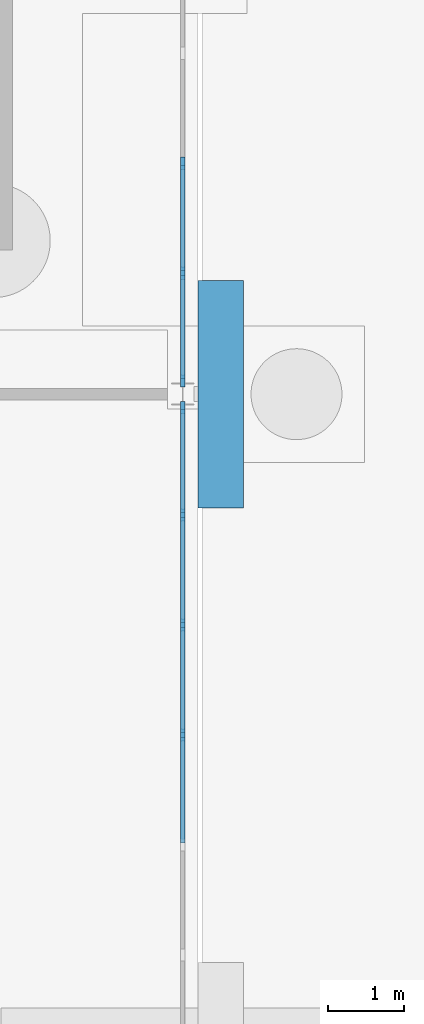
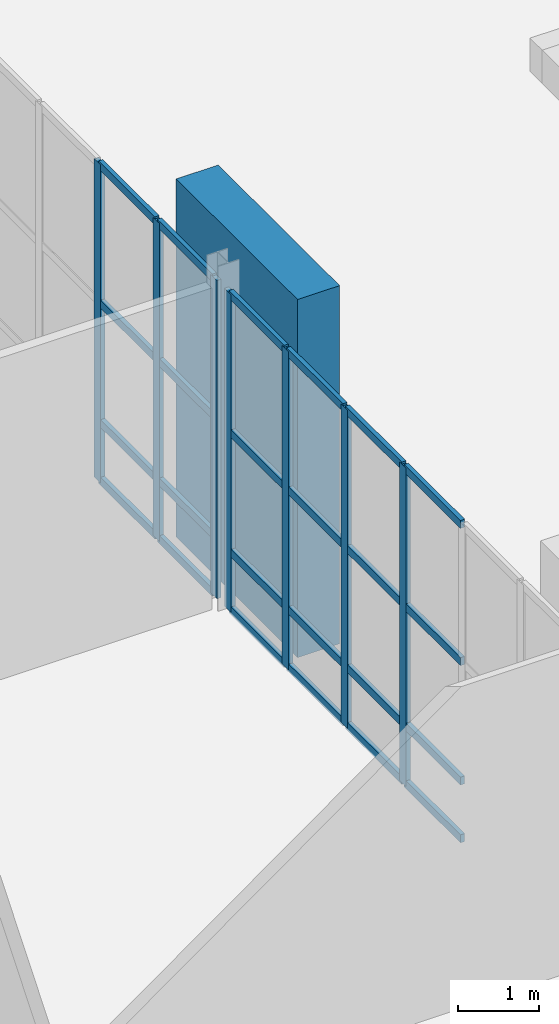
# One storey, part 61 of 168: 32 members, 2 elements without a shape of their own.
"""IFC4 building model written with IfcOpenShell, lengths in metres."""

import ifcopenshell
import ifcopenshell.guid

model = None  # the IFC model being written
_history = None  # IfcOwnerHistory: only IFC2X3 demands one
_inside = {}  # id of a spatial element -> (the spatial element, [elements in it])
_under = {}  # id of a project, library or spatial element -> (it, [spatial elements below it])
_declared = {}  # id of a project -> (the project, [libraries it declares])
_typed = {}  # id of a type object -> (the type object, [elements of that type])
_made_of = {}  # id of a material, layer set ... -> (it, [elements and type objects made of it])


def new_model(schema):
    """Start an empty IFC model of exactly this schema.

    Asked for "IFC4X3", IfcOpenShell would pick the latest addendum, in which some entities
    have other attributes; the version numbers below select the first issue.
    IFC2X3 requires an IfcOwnerHistory on every rooted entity: one is made here for all.
    """
    global model, _history
    if schema == "IFC4X3":
        model = ifcopenshell.file(schema_version=(4, 3, 0, 0))
    else:
        model = ifcopenshell.file(schema=schema)
    _inside.clear()
    _under.clear()
    _declared.clear()
    _typed.clear()
    _made_of.clear()
    _history = None
    if model.schema == "IFC2X3":
        org = make("IfcOrganization", Name="unknown")
        user = make(
            "IfcPersonAndOrganization",
            ThePerson=make("IfcPerson", FamilyName="unknown"),
            TheOrganization=org,
        )
        app = make(
            "IfcApplication",
            ApplicationDeveloper=org,
            Version="unknown",
            ApplicationFullName="unknown",
            ApplicationIdentifier="unknown",
        )
        _history = make(
            "IfcOwnerHistory",
            OwningUser=user,
            OwningApplication=app,
            ChangeAction="ADDED",
            CreationDate=0,
        )
    return model


def make(cls, **values):
    """One entity of the class cls with the attributes given. An attribute that is None is left unset."""
    return model.create_entity(
        cls, **{name: value for name, value in values.items() if value is not None}
    )


def rooted(cls, **values):
    """An entity with a GlobalId (a new one), such as an element, a storey or a relation."""
    return make(cls, GlobalId=ifcopenshell.guid.new(), OwnerHistory=_history, **values)


def si_unit(unit_type, name, prefix=None):
    """IfcSIUnit, for example si_unit("LENGTHUNIT", "METRE", prefix="MILLI")."""
    return make("IfcSIUnit", UnitType=unit_type, Prefix=prefix, Name=name)


def assignment(units):
    """IfcUnitAssignment: the units of a project."""
    return None if units is None else make("IfcUnitAssignment", Units=units)


def point(xyz):
    """IfcCartesianPoint."""
    return None if xyz is None else make("IfcCartesianPoint", Coordinates=xyz)


def direction(xyz):
    """IfcDirection."""
    return None if xyz is None else make("IfcDirection", DirectionRatios=xyz)


def frame(location, z_axis=None, x_axis=None):
    """IfcAxis2Placement3D, a coordinate frame: its origin and axes. An axis left out is left unset."""
    return make(
        "IfcAxis2Placement3D",
        Location=point(location),
        Axis=direction(z_axis),
        RefDirection=direction(x_axis),
    )


def frame_2d(location, x_axis=None):
    """IfcAxis2Placement2D, a coordinate frame in the plane: its origin and x axis."""
    return make(
        "IfcAxis2Placement2D", Location=point(location), RefDirection=direction(x_axis)
    )


def origin():
    """The frame at (0, 0, 0) with its axes left unset."""
    return frame((0.0, 0.0, 0.0))


def origin_2d():
    """The frame at (0, 0) in the plane with its x axis left unset."""
    return frame_2d((0.0, 0.0))


def place(relative_to, where):
    """IfcLocalPlacement: puts the frame where relative to a parent placement (None: the world)."""
    return make(
        "IfcLocalPlacement", PlacementRelTo=relative_to, RelativePlacement=where
    )


def context(
    kind, dimensions, precision=None, world=None, true_north=None, identifier=None
):
    """IfcGeometricRepresentationContext, for example the 3D "Model" context."""
    return make(
        "IfcGeometricRepresentationContext",
        ContextIdentifier=identifier,
        ContextType=kind,
        CoordinateSpaceDimension=dimensions,
        Precision=precision,
        WorldCoordinateSystem=world,
        TrueNorth=true_north,
    )


def subcontext(parent, identifier, kind, view, scale=None):
    """IfcGeometricRepresentationSubContext, for example "Body" below "Model"."""
    return make(
        "IfcGeometricRepresentationSubContext",
        ContextIdentifier=identifier,
        ContextType=kind,
        ParentContext=parent,
        TargetScale=scale,
        TargetView=view,
    )


def project(units=None, contexts=None):
    """IfcProject with its units and contexts."""
    return rooted(
        "IfcProject",
        Name="project",
        RepresentationContexts=contexts,
        UnitsInContext=assignment(units),
    )


def spatial(cls, under=None, at=None, **own):
    """A site, building, storey or space (cls), placed at a placement, below another one or the project."""
    s = rooted(cls, ObjectPlacement=at, **own)
    if under is not None:
        _under.setdefault(under.id(), (under, []))[1].append(s)
    return s


def profile(cls, at=None, kind="AREA", **sizes):
    """A parametric profile (cls). Its sizes go by their IFC names, for example OverallWidth=200.0."""
    return make(cls, ProfileType=kind, Position=at, **sizes)


def rectangle(**sizes):
    """IfcRectangleProfileDef."""
    return profile("IfcRectangleProfileDef", **sizes)


def extrude(swept, where, along, depth):
    """IfcExtrudedAreaSolid: the profile swept, set in the frame where, extruded along a direction by depth."""
    return make(
        "IfcExtrudedAreaSolid",
        SweptArea=swept,
        Position=where,
        ExtrudedDirection=direction(along),
        Depth=depth,
    )


def shape(context_of_items, identifier, shape_type, items):
    """IfcShapeRepresentation: the items that make up one representation, for example the "Body"."""
    return make(
        "IfcShapeRepresentation",
        ContextOfItems=context_of_items,
        RepresentationIdentifier=identifier,
        RepresentationType=shape_type,
        Items=items,
    )


def material(Name=None, Category=None):
    """IfcMaterial."""
    return make("IfcMaterial", Name=Name, Category=Category)


def layer(
    of_material, thickness, ventilated=None, Name=None, Category=None, Priority=None
):
    """IfcMaterialLayer: one layer of a wall or slab, of a material (None: an air gap)."""
    return make(
        "IfcMaterialLayer",
        Material=of_material,
        LayerThickness=thickness,
        IsVentilated=ventilated,
        Name=Name,
        Category=Category,
        Priority=Priority,
    )


def layer_set(layers, Name=None):
    """IfcMaterialLayerSet."""
    return make("IfcMaterialLayerSet", MaterialLayers=layers, LayerSetName=Name)


def material_profile(
    of_material, cross_section, Name=None, Category=None, Priority=None
):
    """IfcMaterialProfile: a cross section and its material."""
    return make(
        "IfcMaterialProfile",
        Name=Name,
        Material=of_material,
        Profile=cross_section,
        Priority=Priority,
        Category=Category,
    )


def profile_set(profiles, Name=None, composite=None):
    """IfcMaterialProfileSet."""
    return make(
        "IfcMaterialProfileSet",
        Name=Name,
        MaterialProfiles=profiles,
        CompositeProfile=composite,
    )


def made_of(thing, what):
    """Note that an element or type object is made of a material, layer set ...; save() writes the relation."""
    if what is not None:
        _made_of.setdefault(what.id(), (what, []))[1].append(thing)
    return thing


def type_object(cls, material=None, **own):
    """A type object (cls), such as IfcWallType, which elements share."""
    return made_of(rooted(cls, **own), material)


def element(
    cls,
    number,
    at=None,
    inside=None,
    cuts=None,
    type_object=None,
    material=None,
    context=None,
    identifier="Body",
    shape_type=None,
    held_by="IfcProductDefinitionShape",
    body=None,
    shapes=None,
    **own,
):
    """One element of the class cls, such as IfcWall. Its Tag is "e" and its number.

    at: its placement. inside: the storey or other place that contains it. cuts: it is an
    opening in that element (IfcRelVoidsElement). A single representation is given by context,
    identifier, shape_type and body (its items); several are given by shapes. held_by: the class
    of the entity that holds the representations. save() writes the other relations.
    """
    e = rooted(cls, Tag="e%d" % number, ObjectPlacement=at, **own)
    if body is not None:
        shapes = [shape(context, identifier, shape_type, body)]
    if shapes is not None:
        e.Representation = make(held_by, Representations=shapes)
    if inside is not None:
        _inside.setdefault(inside.id(), (inside, []))[1].append(e)
    if cuts is not None:
        rooted(
            "IfcRelVoidsElement", RelatingBuildingElement=cuts, RelatedOpeningElement=e
        )
    if type_object is not None:
        _typed.setdefault(type_object.id(), (type_object, []))[1].append(e)
    return made_of(e, material)


def aggregate(whole, parts):
    """IfcRelAggregates: a whole, such as a stair, and the parts it consists of."""
    return rooted("IfcRelAggregates", RelatingObject=whole, RelatedObjects=parts)


def save(model, path):
    """Write the relations noted so far, then the file.

    IfcRelAggregates (storeys below a building ...), IfcRelContainedInSpatialStructure (elements
    in a storey), IfcRelDefinesByType, IfcRelAssociatesMaterial and IfcRelDeclares: one each for
    every whole, place, type object, material and project.
    """
    for whole, parts in _under.values():
        aggregate(whole, parts)
    for where, things in _inside.values():
        rooted(
            "IfcRelContainedInSpatialStructure",
            RelatedElements=things,
            RelatingStructure=where,
        )
    for kind, things in _typed.values():
        rooted("IfcRelDefinesByType", RelatedObjects=things, RelatingType=kind)
    for what, things in _made_of.values():
        rooted("IfcRelAssociatesMaterial", RelatedObjects=things, RelatingMaterial=what)
    for by, libraries in _declared.values():
        rooted("IfcRelDeclares", RelatingContext=by, RelatedDefinitions=libraries)
    model.write(path)


model = new_model("IFC4")

# Units and contexts
model_context = context("Model", 3, precision=1e-05, world=origin(), true_north=direction((0.0, 1.0)))
body_context = subcontext(model_context, "Body", "Model", "MODEL_VIEW")
ifc_project = project(units=[si_unit("LENGTHUNIT", "METRE"), si_unit("AREAUNIT", "SQUARE_METRE"), si_unit("VOLUMEUNIT", "CUBIC_METRE"), si_unit("PLANEANGLEUNIT", "RADIAN"), si_unit("MASSUNIT", "GRAM", prefix="KILO")], contexts=[model_context])

# Site, building, storey
site_placement = place(None, origin())
site = spatial("IfcSite", under=ifc_project, at=site_placement, CompositionType="ELEMENT")
building_placement = place(site_placement, origin())
building = spatial("IfcBuilding", under=site, at=building_placement, Name="Golden Quay Civic Hall", CompositionType="ELEMENT")
storey_placement = place(building_placement, origin())
storey = spatial("IfcBuildingStorey", under=building, at=storey_placement, Name="L00", CompositionType="ELEMENT", Elevation=0.0)

# Curtain wall, members
ifc_material_1 = material(Name="Glass, laminated double glazed", Category="glass")
ifc_layer = layer(ifc_material_1, 0.199951171875)
ifc_layer_set = layer_set([ifc_layer], Name="Glazed core strip curtain wall")
curtain_wall_type = type_object("IfcCurtainWallType", Name="Glazed core strip curtain wall", PredefinedType="NOTDEFINED", material=ifc_layer_set)
curtain_wall_1_placement = place(storey_placement, origin())
curtain_wall_1 = element("IfcCurtainWall", 1, at=curtain_wall_1_placement, inside=storey, type_object=curtain_wall_type, Name="Glazed core strip curtain wall L00 11", PredefinedType="NOTDEFINED")
ifc_material_2 = material(Name="Aluminium, anodised", Category="aluminium")
ifc_material_profile_1 = material_profile(ifc_material_2, rectangle(XDim=0.06005859375, YDim=0.159912109375, at=origin_2d()), Name="Aluminium 60 x 160")
ifc_profile_set_1 = profile_set([ifc_material_profile_1], Name="Aluminium, anodised")
member_type_1 = type_object("IfcMemberType", Name="Aluminium mullion 60 x 160", PredefinedType="MULLION", material=ifc_profile_set_1)
member_1_placement = place(storey_placement, frame((117.0, 44.824951171875, 0.0), z_axis=(0.0, 0.0, 1.0), x_axis=(1.0, 0.0, 0.0)))
member_1 = element("IfcMember", 2, at=member_1_placement, type_object=member_type_1, Name="CW2 mullion 1", PredefinedType="MULLION", context=body_context, shape_type="SweptSolid", body=[
    extrude(rectangle(XDim=0.06005859375, YDim=0.159912109375, at=origin_2d()), origin(), (0.0, 0.0, 1.0), 4.800048828125),
])
member_2_placement = place(storey_placement, frame((117.0, 43.4033203125, 0.0), z_axis=(0.0, 0.0, 1.0), x_axis=(1.0, 0.0, 0.0)))
member_2 = element("IfcMember", 3, at=member_2_placement, type_object=member_type_1, Name="CW2 mullion 2", PredefinedType="MULLION", context=body_context, shape_type="SweptSolid", body=[
    extrude(rectangle(XDim=0.06005859375, YDim=0.159912109375, at=origin_2d()), origin(), (0.0, 0.0, 1.0), 4.800048828125),
])
member_3_placement = place(storey_placement, frame((117.0, 41.95166015625, 0.0), z_axis=(0.0, 0.0, 1.0), x_axis=(1.0, 0.0, 0.0)))
member_3 = element("IfcMember", 4, at=member_3_placement, type_object=member_type_1, Name="CW2 mullion 3", PredefinedType="MULLION", context=body_context, shape_type="SweptSolid", body=[
    extrude(rectangle(XDim=0.06005859375, YDim=0.159912109375, at=origin_2d()), origin(), (0.0, 0.0, 1.0), 4.800048828125),
])
member_4_placement = place(storey_placement, frame((117.0, 40.5, 0.0), z_axis=(0.0, 0.0, 1.0), x_axis=(1.0, 0.0, 0.0)))
member_4 = element("IfcMember", 5, at=member_4_placement, type_object=member_type_1, Name="CW2 mullion 4", PredefinedType="MULLION", context=body_context, shape_type="SweptSolid", body=[
    extrude(rectangle(XDim=0.06005859375, YDim=0.159912109375, at=origin_2d()), origin(), (0.0, 0.0, 1.0), 4.800048828125),
])

curtain_wall_2_placement = place(storey_placement, origin())
curtain_wall_2 = element("IfcCurtainWall", 6, at=curtain_wall_2_placement, inside=storey, type_object=curtain_wall_type, Name="Glazed core strip curtain wall L00 12", PredefinedType="NOTDEFINED")
member_5_placement = place(storey_placement, frame((117.0, 48.04833984375, 0.0), z_axis=(0.0, 0.0, 1.0), x_axis=(1.0, 0.0, 0.0)))
member_5 = element("IfcMember", 7, at=member_5_placement, type_object=member_type_1, Name="CW2 mullion 5", PredefinedType="MULLION", context=body_context, shape_type="SweptSolid", body=[
    extrude(rectangle(XDim=0.06005859375, YDim=0.159912109375, at=origin_2d()), origin(), (0.0, 0.0, 1.0), 4.800048828125),
])
member_6_placement = place(storey_placement, frame((117.0, 46.5966796875, 0.0), z_axis=(0.0, 0.0, 1.0), x_axis=(1.0, 0.0, 0.0)))
member_6 = element("IfcMember", 8, at=member_6_placement, type_object=member_type_1, Name="CW2 mullion 6", PredefinedType="MULLION", context=body_context, shape_type="SweptSolid", body=[
    extrude(rectangle(XDim=0.06005859375, YDim=0.159912109375, at=origin_2d()), origin(), (0.0, 0.0, 1.0), 4.800048828125),
])
member_7_placement = place(storey_placement, frame((117.0, 45.175048828125, 0.0), z_axis=(0.0, 0.0, 1.0), x_axis=(1.0, 0.0, 0.0)))
member_7 = element("IfcMember", 9, at=member_7_placement, type_object=member_type_1, Name="CW2 mullion 7", PredefinedType="MULLION", context=body_context, shape_type="SweptSolid", body=[
    extrude(rectangle(XDim=0.06005859375, YDim=0.159912109375, at=origin_2d()), origin(), (0.0, 0.0, 1.0), 4.800048828125),
])

# Member
ifc_material_3 = material(Name="Aluminium, anodised", Category="aluminium")
ifc_material_profile_2 = material_profile(ifc_material_3, rectangle(XDim=0.06005859375, YDim=0.1201171875, at=origin_2d()), Name="Aluminium 60 x 120")
ifc_profile_set_2 = profile_set([ifc_material_profile_2], Name="Aluminium, anodised")
member_type_2 = type_object("IfcMemberType", Name="Aluminium transom 60 x 120", PredefinedType="USERDEFINED", material=ifc_profile_set_2)
member_8_placement = place(storey_placement, frame((117.0, 44.794921875, 0.030029296875), z_axis=(0.0, -1.0, 0.0), x_axis=(1.0, 0.0, 0.0)))
member_8 = element("IfcMember", 10, at=member_8_placement, type_object=member_type_2, Name="CW2 transom 1.1", ObjectType="TRANSOM", PredefinedType="USERDEFINED", context=body_context, shape_type="SweptSolid", body=[
    extrude(rectangle(XDim=0.06005859375, YDim=0.1201171875, at=origin_2d()), origin(), (0.0, 0.0, 1.0), 1.361572265625),
])

member_9_placement = place(storey_placement, frame((117.0, 44.794921875, 0.89990234375), z_axis=(0.0, -1.0, 0.0), x_axis=(1.0, 0.0, 0.0)))
member_9 = element("IfcMember", 11, at=member_9_placement, type_object=member_type_2, Name="CW2 transom 1.2", ObjectType="TRANSOM", PredefinedType="USERDEFINED", context=body_context, shape_type="SweptSolid", body=[
    extrude(rectangle(XDim=0.06005859375, YDim=0.1201171875, at=origin_2d()), origin(), (0.0, 0.0, 1.0), 1.361572265625),
])

member_10_placement = place(storey_placement, frame((117.0, 44.794921875, 2.699951171875), z_axis=(0.0, -1.0, 0.0), x_axis=(1.0, 0.0, 0.0)))
member_10 = element("IfcMember", 12, at=member_10_placement, type_object=member_type_2, Name="CW2 transom 1.3", ObjectType="TRANSOM", PredefinedType="USERDEFINED", context=body_context, shape_type="SweptSolid", body=[
    extrude(rectangle(XDim=0.06005859375, YDim=0.1201171875, at=origin_2d()), origin(), (0.0, 0.0, 1.0), 1.361572265625),
])

member_11_placement = place(storey_placement, frame((117.0, 44.794921875, 4.77001953125), z_axis=(0.0, -1.0, 0.0), x_axis=(1.0, 0.0, 0.0)))
member_11 = element("IfcMember", 13, at=member_11_placement, type_object=member_type_2, Name="CW2 transom 1.4", ObjectType="TRANSOM", PredefinedType="USERDEFINED", context=body_context, shape_type="SweptSolid", body=[
    extrude(rectangle(XDim=0.06005859375, YDim=0.1201171875, at=origin_2d()), origin(), (0.0, 0.0, 1.0), 1.361572265625),
])

member_12_placement = place(storey_placement, frame((117.0, 43.373291015625, 0.030029296875), z_axis=(0.0, -1.0, 0.0), x_axis=(1.0, 0.0, 0.0)))
member_12 = element("IfcMember", 14, at=member_12_placement, type_object=member_type_2, Name="CW2 transom 2.1", ObjectType="TRANSOM", PredefinedType="USERDEFINED", context=body_context, shape_type="SweptSolid", body=[
    extrude(rectangle(XDim=0.06005859375, YDim=0.1201171875, at=origin_2d()), origin(), (0.0, 0.0, 1.0), 1.3916015625),
])

member_13_placement = place(storey_placement, frame((117.0, 43.373291015625, 0.89990234375), z_axis=(0.0, -1.0, 0.0), x_axis=(1.0, 0.0, 0.0)))
member_13 = element("IfcMember", 15, at=member_13_placement, type_object=member_type_2, Name="CW2 transom 2.2", ObjectType="TRANSOM", PredefinedType="USERDEFINED", context=body_context, shape_type="SweptSolid", body=[
    extrude(rectangle(XDim=0.06005859375, YDim=0.1201171875, at=origin_2d()), origin(), (0.0, 0.0, 1.0), 1.3916015625),
])

member_14_placement = place(storey_placement, frame((117.0, 43.373291015625, 2.699951171875), z_axis=(0.0, -1.0, 0.0), x_axis=(1.0, 0.0, 0.0)))
member_14 = element("IfcMember", 16, at=member_14_placement, type_object=member_type_2, Name="CW2 transom 2.3", ObjectType="TRANSOM", PredefinedType="USERDEFINED", context=body_context, shape_type="SweptSolid", body=[
    extrude(rectangle(XDim=0.06005859375, YDim=0.1201171875, at=origin_2d()), origin(), (0.0, 0.0, 1.0), 1.3916015625),
])

member_15_placement = place(storey_placement, frame((117.0, 43.373291015625, 4.77001953125), z_axis=(0.0, -1.0, 0.0), x_axis=(1.0, 0.0, 0.0)))
member_15 = element("IfcMember", 17, at=member_15_placement, type_object=member_type_2, Name="CW2 transom 2.4", ObjectType="TRANSOM", PredefinedType="USERDEFINED", context=body_context, shape_type="SweptSolid", body=[
    extrude(rectangle(XDim=0.06005859375, YDim=0.1201171875, at=origin_2d()), origin(), (0.0, 0.0, 1.0), 1.3916015625),
])

member_16_placement = place(storey_placement, frame((117.0, 41.921630859375, 0.030029296875), z_axis=(0.0, -1.0, 0.0), x_axis=(1.0, 0.0, 0.0)))
member_16 = element("IfcMember", 18, at=member_16_placement, type_object=member_type_2, Name="CW2 transom 3.1", ObjectType="TRANSOM", PredefinedType="USERDEFINED", context=body_context, shape_type="SweptSolid", body=[
    extrude(rectangle(XDim=0.06005859375, YDim=0.1201171875, at=origin_2d()), origin(), (0.0, 0.0, 1.0), 1.3916015625),
])

member_17_placement = place(storey_placement, frame((117.0, 41.921630859375, 0.89990234375), z_axis=(0.0, -1.0, 0.0), x_axis=(1.0, 0.0, 0.0)))
member_17 = element("IfcMember", 19, at=member_17_placement, type_object=member_type_2, Name="CW2 transom 3.2", ObjectType="TRANSOM", PredefinedType="USERDEFINED", context=body_context, shape_type="SweptSolid", body=[
    extrude(rectangle(XDim=0.06005859375, YDim=0.1201171875, at=origin_2d()), origin(), (0.0, 0.0, 1.0), 1.3916015625),
])

member_18_placement = place(storey_placement, frame((117.0, 41.921630859375, 2.699951171875), z_axis=(0.0, -1.0, 0.0), x_axis=(1.0, 0.0, 0.0)))
member_18 = element("IfcMember", 20, at=member_18_placement, type_object=member_type_2, Name="CW2 transom 3.3", ObjectType="TRANSOM", PredefinedType="USERDEFINED", context=body_context, shape_type="SweptSolid", body=[
    extrude(rectangle(XDim=0.06005859375, YDim=0.1201171875, at=origin_2d()), origin(), (0.0, 0.0, 1.0), 1.3916015625),
])

member_19_placement = place(storey_placement, frame((117.0, 41.921630859375, 4.77001953125), z_axis=(0.0, -1.0, 0.0), x_axis=(1.0, 0.0, 0.0)))
member_19 = element("IfcMember", 21, at=member_19_placement, type_object=member_type_2, Name="CW2 transom 3.4", ObjectType="TRANSOM", PredefinedType="USERDEFINED", context=body_context, shape_type="SweptSolid", body=[
    extrude(rectangle(XDim=0.06005859375, YDim=0.1201171875, at=origin_2d()), origin(), (0.0, 0.0, 1.0), 1.3916015625),
])

member_20_placement = place(storey_placement, frame((117.0, 40.469970703125, 0.030029296875), z_axis=(0.0, -1.0, 0.0), x_axis=(1.0, 0.0, 0.0)))
member_20 = element("IfcMember", 22, at=member_20_placement, type_object=member_type_2, Name="CW2 transom 4.1", ObjectType="TRANSOM", PredefinedType="USERDEFINED", context=body_context, shape_type="SweptSolid", body=[
    extrude(rectangle(XDim=0.06005859375, YDim=0.1201171875, at=origin_2d()), origin(), (0.0, 0.0, 1.0), 1.3916015625),
])

member_21_placement = place(storey_placement, frame((117.0, 40.469970703125, 0.89990234375), z_axis=(0.0, -1.0, 0.0), x_axis=(1.0, 0.0, 0.0)))
member_21 = element("IfcMember", 23, at=member_21_placement, type_object=member_type_2, Name="CW2 transom 4.2", ObjectType="TRANSOM", PredefinedType="USERDEFINED", context=body_context, shape_type="SweptSolid", body=[
    extrude(rectangle(XDim=0.06005859375, YDim=0.1201171875, at=origin_2d()), origin(), (0.0, 0.0, 1.0), 1.3916015625),
])

member_22_placement = place(storey_placement, frame((117.0, 40.469970703125, 2.699951171875), z_axis=(0.0, -1.0, 0.0), x_axis=(1.0, 0.0, 0.0)))
member_22 = element("IfcMember", 24, at=member_22_placement, type_object=member_type_2, Name="CW2 transom 4.3", ObjectType="TRANSOM", PredefinedType="USERDEFINED", context=body_context, shape_type="SweptSolid", body=[
    extrude(rectangle(XDim=0.06005859375, YDim=0.1201171875, at=origin_2d()), origin(), (0.0, 0.0, 1.0), 1.3916015625),
])

member_23_placement = place(storey_placement, frame((117.0, 40.469970703125, 4.77001953125), z_axis=(0.0, -1.0, 0.0), x_axis=(1.0, 0.0, 0.0)))
member_23 = element("IfcMember", 25, at=member_23_placement, type_object=member_type_2, Name="CW2 transom 4.4", ObjectType="TRANSOM", PredefinedType="USERDEFINED", context=body_context, shape_type="SweptSolid", body=[
    extrude(rectangle(XDim=0.06005859375, YDim=0.1201171875, at=origin_2d()), origin(), (0.0, 0.0, 1.0), 1.3916015625),
])

aggregate(curtain_wall_1, [member_1, member_2, member_3, member_4, member_8, member_9, member_10, member_11, member_12, member_13, member_14, member_15, member_16, member_17, member_18, member_19, member_20, member_21, member_22, member_23])

member_24_placement = place(storey_placement, frame((117.0, 48.018310546875, 0.030029296875), z_axis=(0.0, -1.0, 0.0), x_axis=(1.0, 0.0, 0.0)))
member_24 = element("IfcMember", 26, at=member_24_placement, type_object=member_type_2, Name="CW2 transom 5.1", ObjectType="TRANSOM", PredefinedType="USERDEFINED", context=body_context, shape_type="SweptSolid", body=[
    extrude(rectangle(XDim=0.06005859375, YDim=0.1201171875, at=origin_2d()), origin(), (0.0, 0.0, 1.0), 1.3916015625),
])

member_25_placement = place(storey_placement, frame((117.0, 48.018310546875, 0.89990234375), z_axis=(0.0, -1.0, 0.0), x_axis=(1.0, 0.0, 0.0)))
member_25 = element("IfcMember", 27, at=member_25_placement, type_object=member_type_2, Name="CW2 transom 5.2", ObjectType="TRANSOM", PredefinedType="USERDEFINED", context=body_context, shape_type="SweptSolid", body=[
    extrude(rectangle(XDim=0.06005859375, YDim=0.1201171875, at=origin_2d()), origin(), (0.0, 0.0, 1.0), 1.3916015625),
])

member_26_placement = place(storey_placement, frame((117.0, 48.018310546875, 2.699951171875), z_axis=(0.0, -1.0, 0.0), x_axis=(1.0, 0.0, 0.0)))
member_26 = element("IfcMember", 28, at=member_26_placement, type_object=member_type_2, Name="CW2 transom 5.3", ObjectType="TRANSOM", PredefinedType="USERDEFINED", context=body_context, shape_type="SweptSolid", body=[
    extrude(rectangle(XDim=0.06005859375, YDim=0.1201171875, at=origin_2d()), origin(), (0.0, 0.0, 1.0), 1.3916015625),
])

member_27_placement = place(storey_placement, frame((117.0, 48.018310546875, 4.77001953125), z_axis=(0.0, -1.0, 0.0), x_axis=(1.0, 0.0, 0.0)))
member_27 = element("IfcMember", 29, at=member_27_placement, type_object=member_type_2, Name="CW2 transom 5.4", ObjectType="TRANSOM", PredefinedType="USERDEFINED", context=body_context, shape_type="SweptSolid", body=[
    extrude(rectangle(XDim=0.06005859375, YDim=0.1201171875, at=origin_2d()), origin(), (0.0, 0.0, 1.0), 1.3916015625),
])

member_28_placement = place(storey_placement, frame((117.0, 46.566650390625, 0.030029296875), z_axis=(0.0, -1.0, 0.0), x_axis=(1.0, 0.0, 0.0)))
member_28 = element("IfcMember", 30, at=member_28_placement, type_object=member_type_2, Name="CW2 transom 6.1", ObjectType="TRANSOM", PredefinedType="USERDEFINED", context=body_context, shape_type="SweptSolid", body=[
    extrude(rectangle(XDim=0.06005859375, YDim=0.1201171875, at=origin_2d()), origin(), (0.0, 0.0, 1.0), 1.361572265625),
])

member_29_placement = place(storey_placement, frame((117.0, 46.566650390625, 0.89990234375), z_axis=(0.0, -1.0, 0.0), x_axis=(1.0, 0.0, 0.0)))
member_29 = element("IfcMember", 31, at=member_29_placement, type_object=member_type_2, Name="CW2 transom 6.2", ObjectType="TRANSOM", PredefinedType="USERDEFINED", context=body_context, shape_type="SweptSolid", body=[
    extrude(rectangle(XDim=0.06005859375, YDim=0.1201171875, at=origin_2d()), origin(), (0.0, 0.0, 1.0), 1.361572265625),
])

member_30_placement = place(storey_placement, frame((117.0, 46.566650390625, 2.699951171875), z_axis=(0.0, -1.0, 0.0), x_axis=(1.0, 0.0, 0.0)))
member_30 = element("IfcMember", 32, at=member_30_placement, type_object=member_type_2, Name="CW2 transom 6.3", ObjectType="TRANSOM", PredefinedType="USERDEFINED", context=body_context, shape_type="SweptSolid", body=[
    extrude(rectangle(XDim=0.06005859375, YDim=0.1201171875, at=origin_2d()), origin(), (0.0, 0.0, 1.0), 1.361572265625),
])

member_31_placement = place(storey_placement, frame((117.0, 46.566650390625, 4.77001953125), z_axis=(0.0, -1.0, 0.0), x_axis=(1.0, 0.0, 0.0)))
member_31 = element("IfcMember", 33, at=member_31_placement, type_object=member_type_2, Name="CW2 transom 6.4", ObjectType="TRANSOM", PredefinedType="USERDEFINED", context=body_context, shape_type="SweptSolid", body=[
    extrude(rectangle(XDim=0.06005859375, YDim=0.1201171875, at=origin_2d()), origin(), (0.0, 0.0, 1.0), 1.361572265625),
])

aggregate(curtain_wall_2, [member_5, member_6, member_7, member_24, member_25, member_26, member_27, member_28, member_29, member_30, member_31])

ifc_material_4 = material(Name="Concrete C40/50", Category="concrete")
ifc_material_profile_3 = material_profile(ifc_material_4, rectangle(XDim=3.0, YDim=0.60009765625, at=origin_2d()), Name="RC 3000x600")
ifc_profile_set_3 = profile_set([ifc_material_profile_3], Name="Concrete C40/50")
member_type_3 = type_object("IfcMemberType", Name="Precast concrete facade pier 3000 x 600", PredefinedType="POST", material=ifc_profile_set_3)
member_32_placement = place(storey_placement, frame((117.5, 45.0, 0.0), z_axis=(0.0, 0.0, 1.0), x_axis=(0.0, 1.0, 0.0)))
element("IfcMember", 34, at=member_32_placement, inside=storey, type_object=member_type_3, Name="Precast concrete facade pier 3000 x 600 L00 26", PredefinedType="POST", context=body_context, shape_type="SweptSolid", body=[
    extrude(rectangle(XDim=3.0, YDim=0.60009765625, at=origin_2d()), origin(), (0.0, 0.0, 1.0), 5.39990234375),
])

save(model, "model.ifc")
